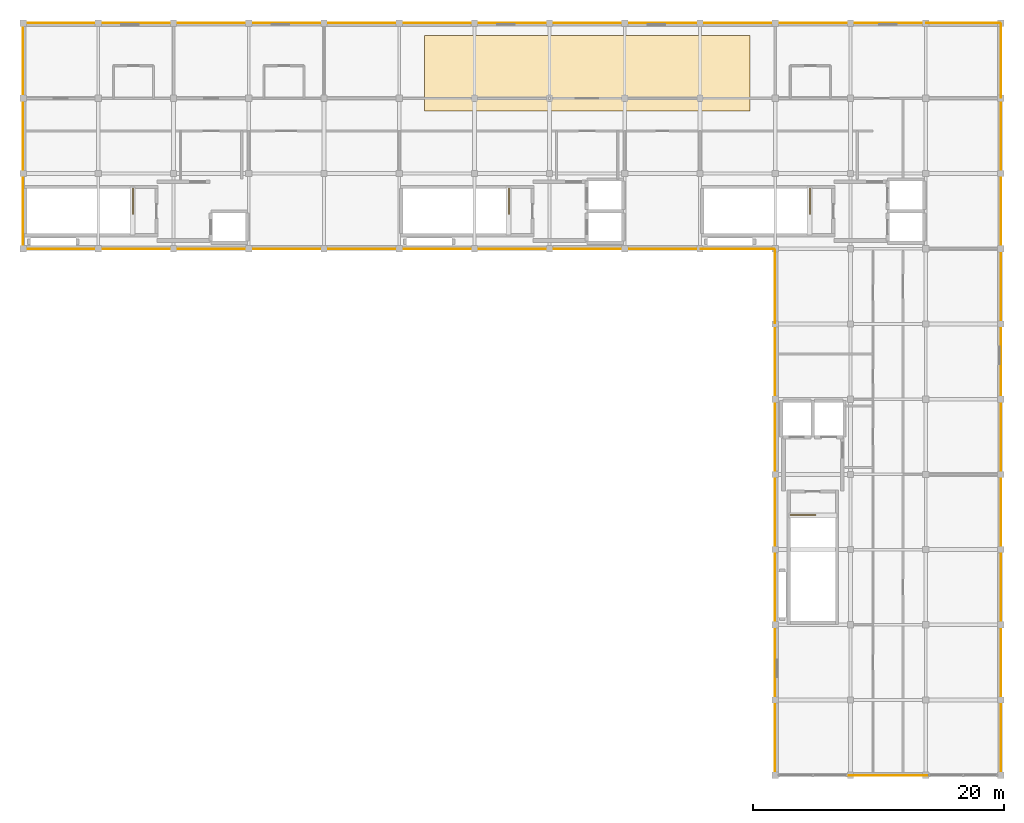
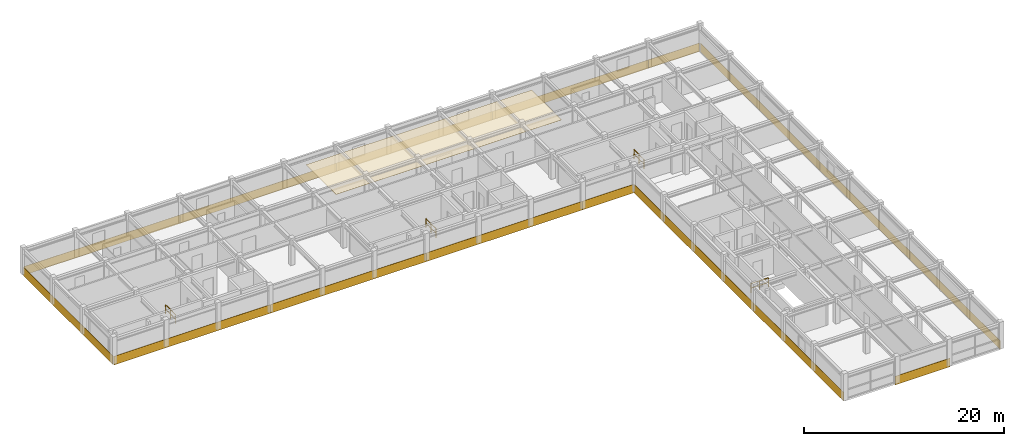
# One storey, part 11 of 11: 19 coverings, 4 railings.
"""IFC4 building model written with IfcOpenShell, lengths in metres."""

from ifc_helpers import new_model, si_unit, direction, frame, origin, origin_2d, place, context, subcontext, project, spatial, polyline, circle, outline, extrude, material, layer, layer_set, type_object, element, save


model = new_model("IFC4")

# Units and contexts
model_context = context("Model", 3, precision=1e-05, world=origin(), true_north=direction((0.0, 1.0)))
body_context = subcontext(model_context, "Body", "Model", "MODEL_VIEW")
ifc_project = project(units=[si_unit("LENGTHUNIT", "METRE"), si_unit("AREAUNIT", "SQUARE_METRE"), si_unit("VOLUMEUNIT", "CUBIC_METRE"), si_unit("PLANEANGLEUNIT", "RADIAN"), si_unit("MASSUNIT", "GRAM", prefix="KILO"), si_unit("THERMODYNAMICTEMPERATUREUNIT", "KELVIN"), si_unit("POWERUNIT", "WATT")], contexts=[model_context])

# Site, building, storey
site_placement = place(None, origin())
site = spatial("IfcSite", under=ifc_project, at=site_placement, CompositionType="ELEMENT")
building_placement = place(site_placement, origin())
building = spatial("IfcBuilding", under=site, at=building_placement, Name="Phaisarnlok Congress Hotel", CompositionType="ELEMENT")
storey_placement = place(building_placement, frame((0.0, 0.0, 51.300048828125)))
storey = spatial("IfcBuildingStorey", under=building, at=storey_placement, Name="L13", CompositionType="ELEMENT", Elevation=51.300048828125)

# Coverings
ifc_material_1 = material(Name="Perforated Timber & Mineral-Fibre Acoustic Ceiling", Category="wood")
ifc_layer_1 = layer(ifc_material_1, 0.01806640625, Name="Perforated Timber & Mineral-Fibre Acoustic Ceiling")
ifc_layer_set_1 = layer_set([ifc_layer_1], Name="Perforated Timber & Mineral-Fibre Acoustic Ceiling")
covering_type_1 = type_object("IfcCoveringType", Name="CLG-AC-18", PredefinedType="CEILING", material=ifc_layer_set_1)
covering_1_placement = place(storey_placement, frame((0.0, 0.0, 2.599853515625)))
element("IfcCovering", 1, at=covering_1_placement, inside=storey, type_object=covering_type_1, Name="Suspended ceiling CLG-01 (L13)", PredefinedType="CEILING", context=body_context, shape_type="SweptSolid", body=[
    extrude(outline(polyline([(160.0, 119.0), (134.0, 119.0), (134.0, 125.0), (160.0, 125.0), (160.0, 119.0)])), origin(), (0.0, 0.0, 1.0), 0.01806640625),
])
ifc_material_2 = material(Name="Anodised Silver Aluminium Alloy 6063-T6", Category="aluminium")
ifc_layer_2 = layer(ifc_material_2, 0.031982421875, Name="Anodised Silver Aluminium Alloy 6063-T6")
ifc_layer_set_2 = layer_set([ifc_layer_2], Name="Anodised Silver Aluminium Alloy 6063-T6")
covering_type_2 = type_object("IfcCoveringType", Name="COV-SPAND-ALU", PredefinedType="CLADDING", material=ifc_layer_set_2)
for number, where, z_axis, x_axis, name in (
    (2, (120.06005859375, 125.9951171875, -0.280029296875), (0.0, 1.0, 0.0), (-1.0, 0.0, 0.0), "Swiss minimalist anodised silver rainscreen band CL-02 (L13 N)"),
    (3, (138.06005859375, 125.9951171875, -0.280029296875), (0.0, 1.0, 0.0), (-1.0, 0.0, 0.0), "Swiss minimalist anodised silver rainscreen band CL-02 (L13 N)"),
    (4, (156.06005859375, 125.9951171875, -0.280029296875), (0.0, 1.0, 0.0), (-1.0, 0.0, 0.0), "Swiss minimalist anodised silver rainscreen band CL-02 (L13 N)"),
    (5, (174.06005859375, 125.9951171875, -0.280029296875), (0.0, 1.0, 0.0), (-1.0, 0.0, 0.0), "Swiss minimalist anodised silver rainscreen band CL-02 (L13 N)"),
):
    element("IfcCovering", number, at=place(storey_placement, frame(where, z_axis=z_axis, x_axis=x_axis)), inside=storey, type_object=covering_type_2, Name=name, PredefinedType="CLADDING", context=body_context, shape_type="SweptSolid", body=[
        extrude(outline(polyline([(0.0, 0.0), (18.0, 0.0), (18.0, 1.050048828125), (0.0, 1.050048828125), (0.0, 0.0)])), origin(), (0.0, 0.0, 1.0), 0.031982421875),
    ])
covering_2_placement = place(storey_placement, frame((179.93994140625, 125.9951171875, -0.280029296875), z_axis=(0.0, 1.0, 0.0), x_axis=(-1.0, 0.0, 0.0)))
element("IfcCovering", 6, at=covering_2_placement, inside=storey, type_object=covering_type_2, Name="Swiss minimalist anodised silver rainscreen band CL-02 (L13 N)", PredefinedType="CLADDING", context=body_context, shape_type="SweptSolid", body=[
    extrude(outline(polyline([(0.0, 0.0), (5.8798828125, 0.0), (5.8798828125, 1.050048828125), (0.0, 1.050048828125), (0.0, 0.0)])), origin(), (0.0, 0.0, 1.0), 0.031982421875),
])
for number, where, z_axis, x_axis, name in (
    (7, (179.9951171875, 66.06005859375, -0.280029296875), (1.0, 0.0, 0.0), (0.0, 1.0, 0.0), "Swiss minimalist anodised silver rainscreen band CL-02 (L13 E)"),
    (8, (179.9951171875, 84.06005859375, -0.280029296875), (1.0, 0.0, 0.0), (0.0, 1.0, 0.0), "Swiss minimalist anodised silver rainscreen band CL-02 (L13 E)"),
    (9, (179.9951171875, 102.06005859375, -0.280029296875), (1.0, 0.0, 0.0), (0.0, 1.0, 0.0), "Swiss minimalist anodised silver rainscreen band CL-02 (L13 E)"),
):
    element("IfcCovering", number, at=place(storey_placement, frame(where, z_axis=z_axis, x_axis=x_axis)), inside=storey, type_object=covering_type_2, Name=name, PredefinedType="CLADDING", context=body_context, shape_type="SweptSolid", body=[
        extrude(outline(polyline([(0.0, 0.0), (18.0, 0.0), (18.0, 1.050048828125), (0.0, 1.050048828125), (0.0, 0.0)])), origin(), (0.0, 0.0, 1.0), 0.031982421875),
    ])
covering_3_placement = place(storey_placement, frame((179.9951171875, 120.06005859375, -0.280029296875), z_axis=(1.0, 0.0, 0.0), x_axis=(0.0, 1.0, 0.0)))
element("IfcCovering", 10, at=covering_3_placement, inside=storey, type_object=covering_type_2, Name="Swiss minimalist anodised silver rainscreen band CL-02 (L13 E)", PredefinedType="CLADDING", context=body_context, shape_type="SweptSolid", body=[
    extrude(outline(polyline([(0.0, 0.0), (5.8798828125, 0.0), (5.8798828125, 1.050048828125), (0.0, 1.050048828125), (0.0, 0.0)])), origin(), (0.0, 0.0, 1.0), 0.031982421875),
])
for number, where, z_axis, x_axis, name in (
    (11, (102.06005859375, 108.0048828125, -0.280029296875), (0.0, -1.0, 0.0), (1.0, 0.0, 0.0), "Swiss minimalist anodised silver rainscreen band CL-02 (L13 S)"),
    (12, (120.06005859375, 108.0048828125, -0.280029296875), (0.0, -1.0, 0.0), (1.0, 0.0, 0.0), "Swiss minimalist anodised silver rainscreen band CL-02 (L13 S)"),
    (13, (138.06005859375, 108.0048828125, -0.280029296875), (0.0, -1.0, 0.0), (1.0, 0.0, 0.0), "Swiss minimalist anodised silver rainscreen band CL-02 (L13 S)"),
):
    element("IfcCovering", number, at=place(storey_placement, frame(where, z_axis=z_axis, x_axis=x_axis)), inside=storey, type_object=covering_type_2, Name=name, PredefinedType="CLADDING", context=body_context, shape_type="SweptSolid", body=[
        extrude(outline(polyline([(0.0, 0.0), (18.0, 0.0), (18.0, 1.050048828125), (0.0, 1.050048828125), (0.0, 0.0)])), origin(), (0.0, 0.0, 1.0), 0.031982421875),
    ])
covering_4_placement = place(storey_placement, frame((156.06005859375, 108.0048828125, -0.280029296875), z_axis=(0.0, -1.0, 0.0), x_axis=(1.0, 0.0, 0.0)))
element("IfcCovering", 14, at=covering_4_placement, inside=storey, type_object=covering_type_2, Name="Swiss minimalist anodised silver rainscreen band CL-02 (L13 S)", PredefinedType="CLADDING", context=body_context, shape_type="SweptSolid", body=[
    extrude(outline(polyline([(0.0, 0.0), (5.8798828125, 0.0), (5.8798828125, 1.050048828125), (0.0, 1.050048828125), (0.0, 0.0)])), origin(), (0.0, 0.0, 1.0), 0.031982421875),
])
for number, where, z_axis, x_axis, name in (
    (15, (162.0048828125, 84.06005859375, -0.280029296875), (-1.0, 0.0, 0.0), (0.0, -1.0, 0.0), "Swiss minimalist anodised silver rainscreen band CL-02 (L13 W)"),
    (16, (162.0048828125, 102.06005859375, -0.280029296875), (-1.0, 0.0, 0.0), (0.0, -1.0, 0.0), "Swiss minimalist anodised silver rainscreen band CL-02 (L13 W)"),
):
    element("IfcCovering", number, at=place(storey_placement, frame(where, z_axis=z_axis, x_axis=x_axis)), inside=storey, type_object=covering_type_2, Name=name, PredefinedType="CLADDING", context=body_context, shape_type="SweptSolid", body=[
        extrude(outline(polyline([(0.0, 0.0), (18.0, 0.0), (18.0, 1.050048828125), (0.0, 1.050048828125), (0.0, 0.0)])), origin(), (0.0, 0.0, 1.0), 0.031982421875),
    ])
covering_5_placement = place(storey_placement, frame((162.0048828125, 107.93994140625, -0.280029296875), z_axis=(-1.0, 0.0, 0.0), x_axis=(0.0, -1.0, 0.0)))
element("IfcCovering", 17, at=covering_5_placement, inside=storey, type_object=covering_type_2, Name="Swiss minimalist anodised silver rainscreen band CL-02 (L13 W)", PredefinedType="CLADDING", context=body_context, shape_type="SweptSolid", body=[
    extrude(outline(polyline([(0.0, 0.0), (5.8798828125, 0.0), (5.8798828125, 1.050048828125), (0.0, 1.050048828125), (0.0, 0.0)])), origin(), (0.0, 0.0, 1.0), 0.031982421875),
])
covering_6_placement = place(storey_placement, frame((102.0048828125, 125.93994140625, -0.280029296875), z_axis=(-1.0, 0.0, 0.0), x_axis=(0.0, -1.0, 0.0)))
element("IfcCovering", 18, at=covering_6_placement, inside=storey, type_object=covering_type_2, Name="Swiss minimalist anodised silver rainscreen band CL-02 (L13 WG)", PredefinedType="CLADDING", context=body_context, shape_type="SweptSolid", body=[
    extrude(outline(polyline([(0.0, 0.0), (17.8798828125, 0.0), (17.8798828125, 1.050048828125), (0.0, 1.050048828125), (0.0, 0.0)])), origin(), (0.0, 0.0, 1.0), 0.031982421875),
])
covering_7_placement = place(storey_placement, frame((167.824951171875, 66.0048828125, -0.280029296875), z_axis=(0.0, -1.0, 0.0), x_axis=(1.0, 0.0, 0.0)))
element("IfcCovering", 19, at=covering_7_placement, inside=storey, type_object=covering_type_2, Name="Swiss minimalist anodised silver rainscreen band CL-02 (L13 SG)", PredefinedType="CLADDING", context=body_context, shape_type="SweptSolid", body=[
    extrude(outline(polyline([(0.0, 0.0), (6.35009765625, 0.0), (6.35009765625, 1.050048828125), (0.0, 1.050048828125), (0.0, 0.0)])), origin(), (0.0, 0.0, 1.0), 0.031982421875),
])

# Railings
ifc_material_3 = material(Name="Painted Galvanised Steel S275", Category="steel")
railing_type = type_object("IfcRailingType", Name="RLG-STR-GUARD", PredefinedType="BALUSTRADE", material=ifc_material_3)
for number, where, name in (
    (20, (164.77001953125, 112.800048828125, 0.0), "L13 ST-05 top well guard 1"),
    (21, (140.77001953125, 112.800048828125, 0.0), "L13 ST-06 top well guard 1"),
    (22, (110.77001953125, 112.800048828125, 0.0), "L13 ST-07 top well guard 1"),
):
    element("IfcRailing", number, at=place(storey_placement, frame(where)), inside=storey, type_object=railing_type, Name=name, PredefinedType="BALUSTRADE", context=body_context, shape_type="SweptSolid", body=[
        extrude(circle(Radius=0.02392578125, at=origin_2d()), frame((0.0, 0.0, 1.076171875), z_axis=(0.0, -1.0, 0.0), x_axis=(1.0, 0.0, 0.0)), (0.0, 0.0, 1.0), 2.02001953125),
        extrude(circle(Radius=0.02392578125, at=origin_2d()), frame((0.0, 0.0, 0.52587890625), z_axis=(0.0, -1.0, 0.0), x_axis=(1.0, 0.0, 0.0)), (0.0, 0.0, 1.0), 2.02001953125),
        extrude(circle(Radius=0.02099609375, at=origin_2d()), origin(), (0.0, 0.0, 1.0), 1.052001953125),
        extrude(circle(Radius=0.02099609375, at=origin_2d()), frame((0.0, -1.010009765625, 0.0)), (0.0, 0.0, 1.0), 1.052001953125),
        extrude(circle(Radius=0.02099609375, at=origin_2d()), frame((0.0, -2.02001953125, 0.0)), (0.0, 0.0, 1.0), 1.052001953125),
    ])
railing_placement = place(storey_placement, frame((163.199951171875, 86.77001953125, 0.0)))
element("IfcRailing", 23, at=railing_placement, inside=storey, type_object=railing_type, Name="L13 ST-09 top well guard 1", PredefinedType="BALUSTRADE", context=body_context, shape_type="SweptSolid", body=[
    extrude(circle(Radius=0.02392578125, at=origin_2d()), frame((0.0, 0.0, 1.076171875), z_axis=(1.0, 0.0, 0.0), x_axis=(0.0, 1.0, 0.0)), (0.0, 0.0, 1.0), 2.02001953125),
    extrude(circle(Radius=0.02392578125, at=origin_2d()), frame((0.0, 0.0, 0.52587890625), z_axis=(1.0, 0.0, 0.0), x_axis=(0.0, 1.0, 0.0)), (0.0, 0.0, 1.0), 2.02001953125),
    extrude(circle(Radius=0.02099609375, at=origin_2d()), origin(), (0.0, 0.0, 1.0), 1.052001953125),
    extrude(circle(Radius=0.02099609375, at=origin_2d()), frame((1.010009765625, 0.0, 0.0)), (0.0, 0.0, 1.0), 1.052001953125),
    extrude(circle(Radius=0.02099609375, at=origin_2d()), frame((2.02001953125, 0.0, 0.0)), (0.0, 0.0, 1.0), 1.052001953125),
])

save(model, "model.ifc")
